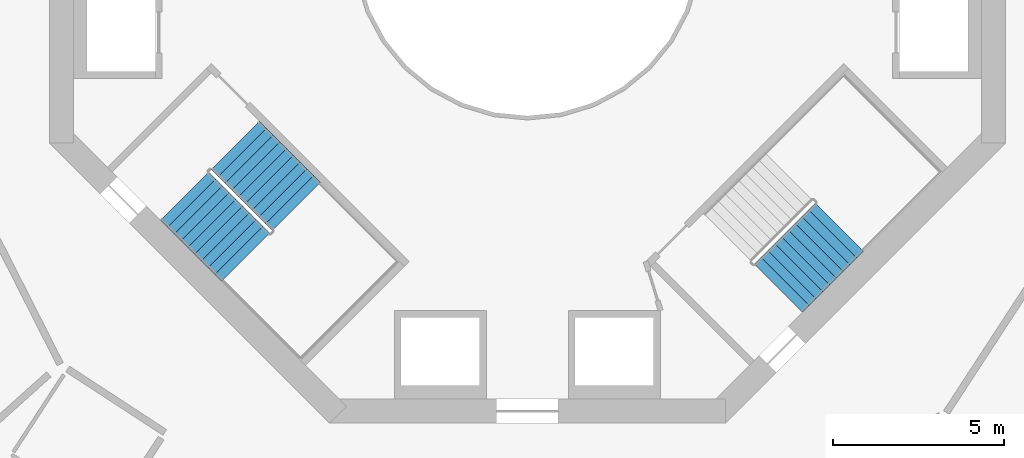
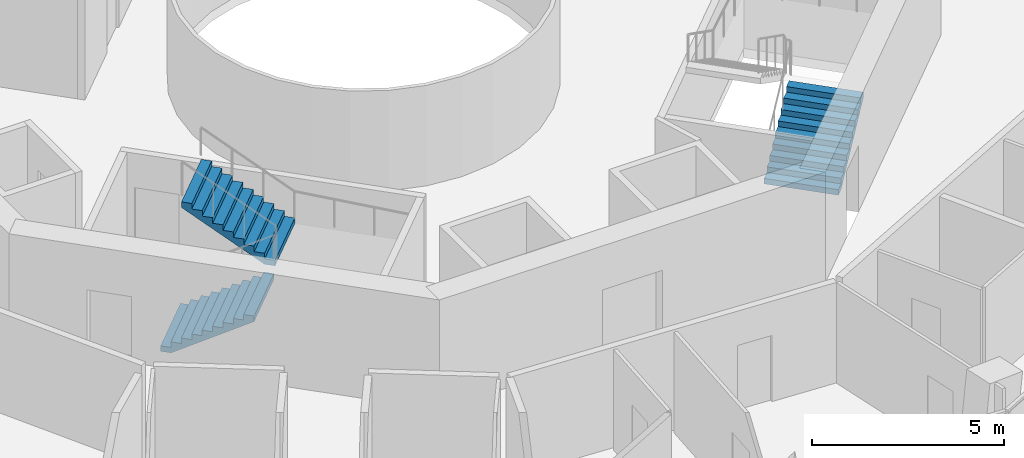
# One storey, part 21 of 23: 3 stair flights, 2 elements without a shape of their own.
"""IFC4 building model written with IfcOpenShell, lengths in metres."""

from ifc_helpers import new_model, si_unit, direction, frame, origin, place, context, subcontext, project, spatial, triangles, material, type_object, element, aggregate, save


model = new_model("IFC4")

# Units and contexts
model_context = context("Model", 3, precision=1e-05, world=origin(), true_north=direction((0.0, 1.0)))
body_context = subcontext(model_context, "Body", "Model", "MODEL_VIEW")
ifc_project = project(units=[si_unit("LENGTHUNIT", "METRE"), si_unit("AREAUNIT", "SQUARE_METRE"), si_unit("VOLUMEUNIT", "CUBIC_METRE"), si_unit("PLANEANGLEUNIT", "RADIAN"), si_unit("MASSUNIT", "GRAM", prefix="KILO")], contexts=[model_context])

# Site, building, storey
site_placement = place(None, origin())
site = spatial("IfcSite", under=ifc_project, at=site_placement, CompositionType="ELEMENT")
building_placement = place(site_placement, origin())
building = spatial("IfcBuilding", under=site, at=building_placement, Name="Verdalira Terraces Hotel", CompositionType="ELEMENT")
storey_placement = place(building_placement, frame((0.0, 0.0, 143.5)))
storey = spatial("IfcBuildingStorey", under=building, at=storey_placement, Name="L34", CompositionType="ELEMENT", Elevation=143.5)

# Stair, stair flights
ifc_material_1 = material(Name="Concrete C40", Category="concrete")
stair_type = type_object("IfcStairType", Name="Core stair 20 risers 2000 mm wide", PredefinedType="HALF_TURN_STAIR", material=ifc_material_1)
stair_1_placement = place(storey_placement, origin())
stair_1 = element("IfcStair", 1, at=stair_1_placement, inside=storey, type_object=stair_type, Name="L34 Exit stair ST2", PredefinedType="HALF_TURN_STAIR")
ifc_material_2 = material(Name="Concrete C40", Category="concrete")
stair_flight_type = type_object("IfcStairFlightType", Name="Core stair flight 20 risers 2000 mm wide", PredefinedType="STRAIGHT", material=ifc_material_2)
stair_flight_1_placement = place(storey_placement, frame((-10.041016, -7.354004, 0.0), z_axis=(0.0, 0.0, 1.0), x_axis=(0.707106781, -0.707106781, 0.0)))
stair_flight_1 = element("IfcStairFlight", 2, at=stair_flight_1_placement, type_object=stair_flight_type, Name="ST2 flight 1", NumberOfRisers=10, NumberOfTreads=9, PredefinedType="STRAIGHT", RiserHeight=0.175, TreadLength=0.28, context=body_context, shape_type="Tessellation", body=[
    triangles([(0.0, 1.0, 0.0), (0.282715, 1.0, 0.0), (2.52002, 1.0, 1.398193), (0.0, -1.0, 0.0), (0.282715, -1.0, 0.0), (2.52002, -1.0, 1.398193), (2.52002, 1.0, 1.574951), (2.23999, 1.0, 1.574951), (2.52002, -1.0, 1.574951), (2.23999, -1.0, 1.574951), (2.23999, 1.0, 1.399902), (2.23999, -1.0, 1.399902), (1.959961, 1.0, 1.399902), (1.959961, -1.0, 1.399902), (1.959961, 1.0, 1.225098), (1.959961, -1.0, 1.225098), (1.679932, 1.0, 1.225098), (1.679932, 1.0, 1.050049), (1.679932, -1.0, 1.225098), (1.679932, -1.0, 1.050049), (1.399902, 1.0, 1.050049), (1.399902, 1.0, 0.875), (1.399902, -1.0, 1.050049), (1.399902, -1.0, 0.875), (1.120117, 1.0, 0.875), (1.120117, 1.0, 0.699951), (1.120117, -1.0, 0.875), (1.120117, -1.0, 0.699951), (0.840088, 1.0, 0.699951), (0.840088, 1.0, 0.524902), (0.840088, -1.0, 0.699951), (0.840088, -1.0, 0.524902), (0.560059, 1.0, 0.524902), (0.560059, 1.0, 0.350098), (0.560059, -1.0, 0.524902), (0.560059, -1.0, 0.350098), (0.280029, 1.0, 0.350098), (0.280029, 1.0, 0.175049), (0.280029, -1.0, 0.350098), (0.280029, -1.0, 0.175049), (0.0, 1.0, 0.175049), (0.0, -1.0, 0.175049), (0.0, -0.9375, 0.0), (0.0, -0.9375, 0.175049), (0.0, -0.875, 0.0), (0.0, -0.875, 0.175049), (0.0, -0.8125, 0.0), (0.0, -0.8125, 0.175049), (0.0, -0.75, 0.0), (0.0, -0.75, 0.175049), (0.0, -0.6875, 0.0), (0.0, -0.6875, 0.175049), (0.0, -0.625, 0.0), (0.0, -0.625, 0.175049), (0.0, -0.5625, 0.0), (0.0, -0.5625, 0.175049), (0.0, -0.5, 0.0), (0.0, -0.5, 0.175049), (0.0, -0.4375, 0.0), (0.0, -0.4375, 0.175049), (0.0, -0.375, 0.0), (0.0, -0.375, 0.175049), (0.0, -0.3125, 0.0), (0.0, -0.3125, 0.175049), (0.0, -0.25, 0.0), (0.0, -0.25, 0.175049), (0.0, -0.1875, 0.0), (0.0, -0.1875, 0.175049), (0.0, -0.125, 0.0), (0.0, -0.125, 0.175049), (0.0, -0.0625, 0.0), (0.0, -0.0625, 0.175049), (0.0, 0.0, 0.0), (0.0, 0.0, 0.175049), (0.0, 0.0625, 0.0), (0.0, 0.0625, 0.175049), (0.0, 0.125, 0.0), (0.0, 0.125, 0.175049), (0.0, 0.1875, 0.0), (0.0, 0.1875, 0.175049), (0.0, 0.25, 0.0), (0.0, 0.25, 0.175049), (0.0, 0.3125, 0.0), (0.0, 0.3125, 0.175049), (0.0, 0.375, 0.0), (0.0, 0.375, 0.175049), (0.0, 0.4375, 0.0), (0.0, 0.4375, 0.175049), (0.0, 0.5, 0.0), (0.0, 0.5, 0.175049), (0.0, 0.5625, 0.0), (0.0, 0.5625, 0.175049), (0.0, 0.625, 0.0), (0.0, 0.625, 0.175049), (0.0, 0.6875, 0.0), (0.0, 0.6875, 0.175049), (0.0, 0.75, 0.0), (0.0, 0.75, 0.175049), (0.0, 0.8125, 0.0), (0.0, 0.8125, 0.175049), (0.0, 0.875, 0.0), (0.0, 0.875, 0.175049), (0.0, 0.9375, 0.0), (0.0, 0.9375, 0.175049), (2.52002, -0.9375, 1.574951), (2.52002, -0.875, 1.574951), (2.52002, -0.8125, 1.574951), (2.52002, -0.75, 1.574951), (2.52002, -0.6875, 1.574951), (2.52002, -0.625, 1.574951), (2.52002, -0.5625, 1.574951), (2.52002, -0.5, 1.574951), (2.52002, -0.4375, 1.574951), (2.52002, -0.375, 1.574951), (2.52002, -0.3125, 1.574951), (2.52002, -0.25, 1.574951), (2.52002, -0.1875, 1.574951), (2.52002, -0.125, 1.574951), (2.52002, -0.0625, 1.574951), (2.52002, 0.0, 1.574951), (2.52002, 0.0625, 1.574951), (2.52002, 0.125, 1.574951), (2.52002, 0.1875, 1.574951), (2.52002, 0.25, 1.574951), (2.52002, 0.3125, 1.574951), (2.52002, 0.375, 1.574951), (2.52002, 0.4375, 1.574951), (2.52002, 0.5, 1.574951), (2.52002, 0.5625, 1.574951), (2.52002, 0.625, 1.574951), (2.52002, 0.6875, 1.574951), (2.52002, 0.75, 1.574951), (2.52002, 0.8125, 1.574951), (2.52002, 0.875, 1.574951), (2.52002, 0.9375, 1.574951), (2.52002, -0.9375, 1.398193), (2.52002, -0.875, 1.398193), (2.52002, -0.8125, 1.398193), (2.52002, -0.75, 1.398193), (2.52002, -0.6875, 1.398193), (2.52002, -0.625, 1.398193), (2.52002, -0.5625, 1.398193), (2.52002, -0.5, 1.398193), (2.52002, -0.4375, 1.398193), (2.52002, -0.375, 1.398193), (2.52002, -0.3125, 1.398193), (2.52002, -0.25, 1.398193), (2.52002, -0.1875, 1.398193), (2.52002, -0.125, 1.398193), (2.52002, -0.0625, 1.398193), (2.52002, 0.0, 1.398193), (2.52002, 0.0625, 1.398193), (2.52002, 0.125, 1.398193), (2.52002, 0.1875, 1.398193), (2.52002, 0.25, 1.398193), (2.52002, 0.3125, 1.398193), (2.52002, 0.375, 1.398193), (2.52002, 0.4375, 1.398193), (2.52002, 0.5, 1.398193), (2.52002, 0.5625, 1.398193), (2.52002, 0.625, 1.398193), (2.52002, 0.6875, 1.398193), (2.52002, 0.75, 1.398193), (2.52002, 0.8125, 1.398193), (2.52002, 0.875, 1.398193), (2.52002, 0.9375, 1.398193)], [[1, 3, 2], [4, 5, 6], [3, 8, 7], [6, 9, 10], [3, 11, 8], [6, 10, 12], [3, 13, 11], [6, 12, 14], [3, 15, 13], [6, 14, 16], [15, 18, 17], [16, 19, 20], [3, 18, 15], [6, 16, 20], [18, 22, 21], [20, 23, 24], [3, 22, 18], [6, 20, 24], [22, 26, 25], [24, 27, 28], [3, 26, 22], [6, 24, 28], [26, 30, 29], [28, 31, 32], [3, 30, 26], [6, 28, 32], [1, 30, 3], [4, 6, 32], [30, 34, 33], [32, 35, 36], [34, 38, 37], [36, 39, 40], [30, 38, 34], [32, 36, 40], [1, 38, 30], [4, 32, 40], [38, 1, 41], [40, 42, 4], [4, 44, 43], [4, 42, 44], [43, 46, 45], [43, 44, 46], [45, 48, 47], [45, 46, 48], [47, 50, 49], [47, 48, 50], [49, 52, 51], [49, 50, 52], [51, 54, 53], [51, 52, 54], [53, 56, 55], [53, 54, 56], [55, 58, 57], [55, 56, 58], [57, 60, 59], [57, 58, 60], [59, 62, 61], [59, 60, 62], [61, 64, 63], [61, 62, 64], [63, 66, 65], [63, 64, 66], [65, 68, 67], [65, 66, 68], [67, 70, 69], [67, 68, 70], [69, 72, 71], [69, 70, 72], [71, 74, 73], [71, 72, 74], [73, 76, 75], [73, 74, 76], [75, 78, 77], [75, 76, 78], [77, 80, 79], [77, 78, 80], [79, 82, 81], [79, 80, 82], [81, 84, 83], [81, 82, 84], [83, 86, 85], [83, 84, 86], [85, 88, 87], [85, 86, 88], [87, 90, 89], [87, 88, 90], [89, 92, 91], [89, 90, 92], [91, 94, 93], [91, 92, 94], [93, 96, 95], [93, 94, 96], [95, 98, 97], [95, 96, 98], [97, 100, 99], [97, 98, 100], [99, 102, 101], [99, 100, 102], [101, 104, 103], [101, 102, 104], [103, 41, 1], [103, 104, 41], [42, 40, 44], [44, 40, 46], [46, 40, 48], [48, 40, 50], [50, 40, 52], [52, 40, 54], [54, 40, 56], [56, 40, 58], [58, 40, 60], [60, 40, 62], [62, 40, 64], [64, 40, 66], [66, 40, 68], [68, 40, 70], [70, 40, 72], [72, 40, 74], [74, 40, 76], [76, 40, 78], [78, 40, 80], [80, 40, 82], [82, 40, 84], [84, 40, 86], [86, 40, 88], [88, 40, 90], [90, 40, 92], [92, 40, 94], [94, 40, 96], [96, 40, 98], [98, 40, 100], [100, 40, 102], [102, 40, 104], [104, 40, 41], [41, 40, 38], [40, 37, 38], [40, 39, 37], [39, 34, 37], [39, 36, 34], [36, 33, 34], [36, 35, 33], [35, 30, 33], [35, 32, 30], [32, 29, 30], [32, 31, 29], [31, 26, 29], [31, 28, 26], [28, 25, 26], [28, 27, 25], [27, 22, 25], [27, 24, 22], [24, 21, 22], [24, 23, 21], [23, 18, 21], [23, 20, 18], [20, 17, 18], [20, 19, 17], [19, 15, 17], [19, 16, 15], [16, 13, 15], [16, 14, 13], [14, 11, 13], [14, 12, 11], [12, 8, 11], [12, 10, 8], [9, 105, 10], [105, 106, 10], [106, 107, 10], [107, 108, 10], [108, 109, 10], [109, 110, 10], [110, 111, 10], [111, 112, 10], [112, 113, 10], [113, 114, 10], [114, 115, 10], [115, 116, 10], [116, 117, 10], [117, 118, 10], [118, 119, 10], [119, 120, 10], [120, 121, 10], [121, 122, 10], [122, 123, 10], [123, 124, 10], [124, 125, 10], [125, 126, 10], [126, 127, 10], [127, 128, 10], [128, 129, 10], [129, 130, 10], [130, 131, 10], [131, 132, 10], [132, 133, 10], [133, 134, 10], [134, 135, 10], [135, 7, 10], [7, 8, 10], [9, 136, 105], [9, 6, 136], [105, 137, 106], [105, 136, 137], [106, 138, 107], [106, 137, 138], [107, 139, 108], [107, 138, 139], [108, 140, 109], [108, 139, 140], [109, 141, 110], [109, 140, 141], [110, 142, 111], [110, 141, 142], [111, 143, 112], [111, 142, 143], [112, 144, 113], [112, 143, 144], [113, 145, 114], [113, 144, 145], [114, 146, 115], [114, 145, 146], [115, 147, 116], [115, 146, 147], [116, 148, 117], [116, 147, 148], [117, 149, 118], [117, 148, 149], [118, 150, 119], [118, 149, 150], [119, 151, 120], [119, 150, 151], [120, 152, 121], [120, 151, 152], [121, 153, 122], [121, 152, 153], [122, 154, 123], [122, 153, 154], [123, 155, 124], [123, 154, 155], [124, 156, 125], [124, 155, 156], [125, 157, 126], [125, 156, 157], [126, 158, 127], [126, 157, 158], [127, 159, 128], [127, 158, 159], [128, 160, 129], [128, 159, 160], [129, 161, 130], [129, 160, 161], [130, 162, 131], [130, 161, 162], [131, 163, 132], [131, 162, 163], [132, 164, 133], [132, 163, 164], [133, 165, 134], [133, 164, 165], [134, 166, 135], [134, 165, 166], [135, 3, 7], [135, 166, 3], [6, 5, 136], [136, 5, 137], [137, 5, 138], [138, 5, 139], [139, 5, 140], [140, 5, 141], [141, 5, 142], [142, 5, 143], [143, 5, 144], [144, 5, 145], [145, 5, 146], [146, 5, 147], [147, 5, 148], [148, 5, 149], [149, 5, 150], [150, 5, 151], [151, 5, 152], [152, 5, 153], [153, 5, 154], [154, 5, 155], [155, 5, 156], [156, 5, 157], [157, 5, 158], [158, 5, 159], [159, 5, 160], [160, 5, 161], [161, 5, 162], [162, 5, 163], [163, 5, 164], [164, 5, 165], [165, 5, 166], [166, 5, 3], [3, 5, 2], [4, 43, 5], [43, 45, 5], [45, 47, 5], [47, 49, 5], [49, 51, 5], [51, 53, 5], [53, 55, 5], [55, 57, 5], [57, 59, 5], [59, 61, 5], [61, 63, 5], [63, 65, 5], [65, 67, 5], [67, 69, 5], [69, 71, 5], [71, 73, 5], [73, 75, 5], [75, 77, 5], [77, 79, 5], [79, 81, 5], [81, 83, 5], [83, 85, 5], [85, 87, 5], [87, 89, 5], [89, 91, 5], [91, 93, 5], [93, 95, 5], [95, 97, 5], [97, 99, 5], [99, 101, 5], [101, 103, 5], [103, 1, 5], [1, 2, 5]], closed=True),
])
stair_flight_2_placement = place(storey_placement, frame((-6.77417, -7.650879, 1.75), z_axis=(0.0, 0.0, 1.0), x_axis=(-0.707106781, 0.707106781, 0.0)))
stair_flight_2 = element("IfcStairFlight", 3, at=stair_flight_2_placement, type_object=stair_flight_type, Name="ST2 flight 2", NumberOfRisers=10, NumberOfTreads=9, PredefinedType="STRAIGHT", RiserHeight=0.175, TreadLength=0.28, context=body_context, shape_type="Tessellation", body=[
    triangles([(0.0, 1.0, 0.0), (0.282715, 1.0, 0.0), (2.52002, 1.0, 1.398193), (0.0, -1.0, 0.0), (0.282715, -1.0, 0.0), (2.52002, -1.0, 1.398193), (2.52002, 1.0, 1.574951), (2.23999, 1.0, 1.574951), (2.52002, -1.0, 1.574951), (2.23999, -1.0, 1.574951), (2.23999, 1.0, 1.399902), (2.23999, -1.0, 1.399902), (1.959961, 1.0, 1.399902), (1.959961, -1.0, 1.399902), (1.959961, 1.0, 1.225098), (1.959961, -1.0, 1.225098), (1.679932, 1.0, 1.225098), (1.679932, 1.0, 1.050049), (1.679932, -1.0, 1.225098), (1.679932, -1.0, 1.050049), (1.399902, 1.0, 1.050049), (1.399902, 1.0, 0.875), (1.399902, -1.0, 1.050049), (1.399902, -1.0, 0.875), (1.120117, 1.0, 0.875), (1.120117, 1.0, 0.699951), (1.120117, -1.0, 0.875), (1.120117, -1.0, 0.699951), (0.840088, 1.0, 0.699951), (0.840088, 1.0, 0.524902), (0.840088, -1.0, 0.699951), (0.840088, -1.0, 0.524902), (0.560059, 1.0, 0.524902), (0.560059, 1.0, 0.350098), (0.560059, -1.0, 0.524902), (0.560059, -1.0, 0.350098), (0.280029, 1.0, 0.350098), (0.280029, 1.0, 0.175049), (0.280029, -1.0, 0.350098), (0.280029, -1.0, 0.175049), (0.0, 1.0, 0.175049), (0.0, -1.0, 0.175049), (0.0, -0.9375, 0.0), (0.0, -0.9375, 0.175049), (0.0, -0.875, 0.0), (0.0, -0.875, 0.175049), (0.0, -0.8125, 0.0), (0.0, -0.8125, 0.175049), (0.0, -0.75, 0.0), (0.0, -0.75, 0.175049), (0.0, -0.6875, 0.0), (0.0, -0.6875, 0.175049), (0.0, -0.625, 0.0), (0.0, -0.625, 0.175049), (0.0, -0.5625, 0.0), (0.0, -0.5625, 0.175049), (0.0, -0.5, 0.0), (0.0, -0.5, 0.175049), (0.0, -0.4375, 0.0), (0.0, -0.4375, 0.175049), (0.0, -0.375, 0.0), (0.0, -0.375, 0.175049), (0.0, -0.3125, 0.0), (0.0, -0.3125, 0.175049), (0.0, -0.25, 0.0), (0.0, -0.25, 0.175049), (0.0, -0.1875, 0.0), (0.0, -0.1875, 0.175049), (0.0, -0.125, 0.0), (0.0, -0.125, 0.175049), (0.0, -0.0625, 0.0), (0.0, -0.0625, 0.175049), (0.0, 0.0, 0.0), (0.0, 0.0, 0.175049), (0.0, 0.0625, 0.0), (0.0, 0.0625, 0.175049), (0.0, 0.125, 0.0), (0.0, 0.125, 0.175049), (0.0, 0.1875, 0.0), (0.0, 0.1875, 0.175049), (0.0, 0.25, 0.0), (0.0, 0.25, 0.175049), (0.0, 0.3125, 0.0), (0.0, 0.3125, 0.175049), (0.0, 0.375, 0.0), (0.0, 0.375, 0.175049), (0.0, 0.4375, 0.0), (0.0, 0.4375, 0.175049), (0.0, 0.5, 0.0), (0.0, 0.5, 0.175049), (0.0, 0.5625, 0.0), (0.0, 0.5625, 0.175049), (0.0, 0.625, 0.0), (0.0, 0.625, 0.175049), (0.0, 0.6875, 0.0), (0.0, 0.6875, 0.175049), (0.0, 0.75, 0.0), (0.0, 0.75, 0.175049), (0.0, 0.8125, 0.0), (0.0, 0.8125, 0.175049), (0.0, 0.875, 0.0), (0.0, 0.875, 0.175049), (0.0, 0.9375, 0.0), (0.0, 0.9375, 0.175049), (2.52002, -0.9375, 1.574951), (2.52002, -0.875, 1.574951), (2.52002, -0.8125, 1.574951), (2.52002, -0.75, 1.574951), (2.52002, -0.6875, 1.574951), (2.52002, -0.625, 1.574951), (2.52002, -0.5625, 1.574951), (2.52002, -0.5, 1.574951), (2.52002, -0.4375, 1.574951), (2.52002, -0.375, 1.574951), (2.52002, -0.3125, 1.574951), (2.52002, -0.25, 1.574951), (2.52002, -0.1875, 1.574951), (2.52002, -0.125, 1.574951), (2.52002, -0.0625, 1.574951), (2.52002, 0.0, 1.574951), (2.52002, 0.0625, 1.574951), (2.52002, 0.125, 1.574951), (2.52002, 0.1875, 1.574951), (2.52002, 0.25, 1.574951), (2.52002, 0.3125, 1.574951), (2.52002, 0.375, 1.574951), (2.52002, 0.4375, 1.574951), (2.52002, 0.5, 1.574951), (2.52002, 0.5625, 1.574951), (2.52002, 0.625, 1.574951), (2.52002, 0.6875, 1.574951), (2.52002, 0.75, 1.574951), (2.52002, 0.8125, 1.574951), (2.52002, 0.875, 1.574951), (2.52002, 0.9375, 1.574951), (2.52002, -0.9375, 1.398193), (2.52002, -0.875, 1.398193), (2.52002, -0.8125, 1.398193), (2.52002, -0.75, 1.398193), (2.52002, -0.6875, 1.398193), (2.52002, -0.625, 1.398193), (2.52002, -0.5625, 1.398193), (2.52002, -0.5, 1.398193), (2.52002, -0.4375, 1.398193), (2.52002, -0.375, 1.398193), (2.52002, -0.3125, 1.398193), (2.52002, -0.25, 1.398193), (2.52002, -0.1875, 1.398193), (2.52002, -0.125, 1.398193), (2.52002, -0.0625, 1.398193), (2.52002, 0.0, 1.398193), (2.52002, 0.0625, 1.398193), (2.52002, 0.125, 1.398193), (2.52002, 0.1875, 1.398193), (2.52002, 0.25, 1.398193), (2.52002, 0.3125, 1.398193), (2.52002, 0.375, 1.398193), (2.52002, 0.4375, 1.398193), (2.52002, 0.5, 1.398193), (2.52002, 0.5625, 1.398193), (2.52002, 0.625, 1.398193), (2.52002, 0.6875, 1.398193), (2.52002, 0.75, 1.398193), (2.52002, 0.8125, 1.398193), (2.52002, 0.875, 1.398193), (2.52002, 0.9375, 1.398193)], [[1, 3, 2], [4, 5, 6], [3, 8, 7], [6, 9, 10], [3, 11, 8], [6, 10, 12], [3, 13, 11], [6, 12, 14], [3, 15, 13], [6, 14, 16], [15, 18, 17], [16, 19, 20], [3, 18, 15], [6, 16, 20], [18, 22, 21], [20, 23, 24], [3, 22, 18], [6, 20, 24], [22, 26, 25], [24, 27, 28], [3, 26, 22], [6, 24, 28], [26, 30, 29], [28, 31, 32], [3, 30, 26], [6, 28, 32], [1, 30, 3], [4, 6, 32], [30, 34, 33], [32, 35, 36], [34, 38, 37], [36, 39, 40], [30, 38, 34], [32, 36, 40], [1, 38, 30], [4, 32, 40], [38, 1, 41], [40, 42, 4], [4, 44, 43], [4, 42, 44], [43, 46, 45], [43, 44, 46], [45, 48, 47], [45, 46, 48], [47, 50, 49], [47, 48, 50], [49, 52, 51], [49, 50, 52], [51, 54, 53], [51, 52, 54], [53, 56, 55], [53, 54, 56], [55, 58, 57], [55, 56, 58], [57, 60, 59], [57, 58, 60], [59, 62, 61], [59, 60, 62], [61, 64, 63], [61, 62, 64], [63, 66, 65], [63, 64, 66], [65, 68, 67], [65, 66, 68], [67, 70, 69], [67, 68, 70], [69, 72, 71], [69, 70, 72], [71, 74, 73], [71, 72, 74], [73, 76, 75], [73, 74, 76], [75, 78, 77], [75, 76, 78], [77, 80, 79], [77, 78, 80], [79, 82, 81], [79, 80, 82], [81, 84, 83], [81, 82, 84], [83, 86, 85], [83, 84, 86], [85, 88, 87], [85, 86, 88], [87, 90, 89], [87, 88, 90], [89, 92, 91], [89, 90, 92], [91, 94, 93], [91, 92, 94], [93, 96, 95], [93, 94, 96], [95, 98, 97], [95, 96, 98], [97, 100, 99], [97, 98, 100], [99, 102, 101], [99, 100, 102], [101, 104, 103], [101, 102, 104], [103, 41, 1], [103, 104, 41], [42, 40, 44], [44, 40, 46], [46, 40, 48], [48, 40, 50], [50, 40, 52], [52, 40, 54], [54, 40, 56], [56, 40, 58], [58, 40, 60], [60, 40, 62], [62, 40, 64], [64, 40, 66], [66, 40, 68], [68, 40, 70], [70, 40, 72], [72, 40, 74], [74, 40, 76], [76, 40, 78], [78, 40, 80], [80, 40, 82], [82, 40, 84], [84, 40, 86], [86, 40, 88], [88, 40, 90], [90, 40, 92], [92, 40, 94], [94, 40, 96], [96, 40, 98], [98, 40, 100], [100, 40, 102], [102, 40, 104], [104, 40, 41], [41, 40, 38], [40, 37, 38], [40, 39, 37], [39, 34, 37], [39, 36, 34], [36, 33, 34], [36, 35, 33], [35, 30, 33], [35, 32, 30], [32, 29, 30], [32, 31, 29], [31, 26, 29], [31, 28, 26], [28, 25, 26], [28, 27, 25], [27, 22, 25], [27, 24, 22], [24, 21, 22], [24, 23, 21], [23, 18, 21], [23, 20, 18], [20, 17, 18], [20, 19, 17], [19, 15, 17], [19, 16, 15], [16, 13, 15], [16, 14, 13], [14, 11, 13], [14, 12, 11], [12, 8, 11], [12, 10, 8], [9, 105, 10], [105, 106, 10], [106, 107, 10], [107, 108, 10], [108, 109, 10], [109, 110, 10], [110, 111, 10], [111, 112, 10], [112, 113, 10], [113, 114, 10], [114, 115, 10], [115, 116, 10], [116, 117, 10], [117, 118, 10], [118, 119, 10], [119, 120, 10], [120, 121, 10], [121, 122, 10], [122, 123, 10], [123, 124, 10], [124, 125, 10], [125, 126, 10], [126, 127, 10], [127, 128, 10], [128, 129, 10], [129, 130, 10], [130, 131, 10], [131, 132, 10], [132, 133, 10], [133, 134, 10], [134, 135, 10], [135, 7, 10], [7, 8, 10], [9, 136, 105], [9, 6, 136], [105, 137, 106], [105, 136, 137], [106, 138, 107], [106, 137, 138], [107, 139, 108], [107, 138, 139], [108, 140, 109], [108, 139, 140], [109, 141, 110], [109, 140, 141], [110, 142, 111], [110, 141, 142], [111, 143, 112], [111, 142, 143], [112, 144, 113], [112, 143, 144], [113, 145, 114], [113, 144, 145], [114, 146, 115], [114, 145, 146], [115, 147, 116], [115, 146, 147], [116, 148, 117], [116, 147, 148], [117, 149, 118], [117, 148, 149], [118, 150, 119], [118, 149, 150], [119, 151, 120], [119, 150, 151], [120, 152, 121], [120, 151, 152], [121, 153, 122], [121, 152, 153], [122, 154, 123], [122, 153, 154], [123, 155, 124], [123, 154, 155], [124, 156, 125], [124, 155, 156], [125, 157, 126], [125, 156, 157], [126, 158, 127], [126, 157, 158], [127, 159, 128], [127, 158, 159], [128, 160, 129], [128, 159, 160], [129, 161, 130], [129, 160, 161], [130, 162, 131], [130, 161, 162], [131, 163, 132], [131, 162, 163], [132, 164, 133], [132, 163, 164], [133, 165, 134], [133, 164, 165], [134, 166, 135], [134, 165, 166], [135, 3, 7], [135, 166, 3], [6, 5, 136], [136, 5, 137], [137, 5, 138], [138, 5, 139], [139, 5, 140], [140, 5, 141], [141, 5, 142], [142, 5, 143], [143, 5, 144], [144, 5, 145], [145, 5, 146], [146, 5, 147], [147, 5, 148], [148, 5, 149], [149, 5, 150], [150, 5, 151], [151, 5, 152], [152, 5, 153], [153, 5, 154], [154, 5, 155], [155, 5, 156], [156, 5, 157], [157, 5, 158], [158, 5, 159], [159, 5, 160], [160, 5, 161], [161, 5, 162], [162, 5, 163], [163, 5, 164], [164, 5, 165], [165, 5, 166], [166, 5, 3], [3, 5, 2], [4, 43, 5], [43, 45, 5], [45, 47, 5], [47, 49, 5], [49, 51, 5], [51, 53, 5], [53, 55, 5], [55, 57, 5], [57, 59, 5], [59, 61, 5], [61, 63, 5], [63, 65, 5], [65, 67, 5], [67, 69, 5], [69, 71, 5], [71, 73, 5], [73, 75, 5], [75, 77, 5], [77, 79, 5], [79, 81, 5], [81, 83, 5], [83, 85, 5], [85, 87, 5], [87, 89, 5], [89, 91, 5], [91, 93, 5], [93, 95, 5], [95, 97, 5], [97, 99, 5], [99, 101, 5], [101, 103, 5], [103, 1, 5], [1, 2, 5]], closed=True),
])
aggregate(stair_1, [stair_flight_1, stair_flight_2])

# Stair, stair flight
stair_2_placement = place(storey_placement, origin())
stair_2 = element("IfcStair", 4, at=stair_2_placement, inside=storey, type_object=stair_type, Name="L34 Exit stair ST3", PredefinedType="HALF_TURN_STAIR")
stair_flight_3_placement = place(storey_placement, frame((7.354004, -10.041016, 0.0), z_axis=(0.0, 0.0, 1.0), x_axis=(0.707106781, 0.707106781, 0.0)))
stair_flight_3 = element("IfcStairFlight", 5, at=stair_flight_3_placement, type_object=stair_flight_type, Name="ST3 flight 1", NumberOfRisers=10, NumberOfTreads=9, PredefinedType="STRAIGHT", RiserHeight=0.175, TreadLength=0.28, context=body_context, shape_type="Tessellation", body=[
    triangles([(0.0, 1.0, 0.0), (0.282715, 1.0, 0.0), (2.52002, 1.0, 1.398193), (0.0, -1.0, 0.0), (0.282715, -1.0, 0.0), (2.52002, -1.0, 1.398193), (2.52002, 1.0, 1.574951), (2.23999, 1.0, 1.574951), (2.52002, -1.0, 1.574951), (2.23999, -1.0, 1.574951), (2.23999, 1.0, 1.399902), (2.23999, -1.0, 1.399902), (1.959961, 1.0, 1.399902), (1.959961, -1.0, 1.399902), (1.959961, 1.0, 1.225098), (1.959961, -1.0, 1.225098), (1.679932, 1.0, 1.225098), (1.679932, 1.0, 1.050049), (1.679932, -1.0, 1.225098), (1.679932, -1.0, 1.050049), (1.399902, 1.0, 1.050049), (1.399902, 1.0, 0.875), (1.399902, -1.0, 1.050049), (1.399902, -1.0, 0.875), (1.120117, 1.0, 0.875), (1.120117, 1.0, 0.699951), (1.120117, -1.0, 0.875), (1.120117, -1.0, 0.699951), (0.840088, 1.0, 0.699951), (0.840088, 1.0, 0.524902), (0.840088, -1.0, 0.699951), (0.840088, -1.0, 0.524902), (0.560059, 1.0, 0.524902), (0.560059, 1.0, 0.350098), (0.560059, -1.0, 0.524902), (0.560059, -1.0, 0.350098), (0.280029, 1.0, 0.350098), (0.280029, 1.0, 0.175049), (0.280029, -1.0, 0.350098), (0.280029, -1.0, 0.175049), (0.0, 1.0, 0.175049), (0.0, -1.0, 0.175049), (0.0, -0.9375, 0.0), (0.0, -0.9375, 0.175049), (0.0, -0.875, 0.0), (0.0, -0.875, 0.175049), (0.0, -0.8125, 0.0), (0.0, -0.8125, 0.175049), (0.0, -0.75, 0.0), (0.0, -0.75, 0.175049), (0.0, -0.6875, 0.0), (0.0, -0.6875, 0.175049), (0.0, -0.625, 0.0), (0.0, -0.625, 0.175049), (0.0, -0.5625, 0.0), (0.0, -0.5625, 0.175049), (0.0, -0.5, 0.0), (0.0, -0.5, 0.175049), (0.0, -0.4375, 0.0), (0.0, -0.4375, 0.175049), (0.0, -0.375, 0.0), (0.0, -0.375, 0.175049), (0.0, -0.3125, 0.0), (0.0, -0.3125, 0.175049), (0.0, -0.25, 0.0), (0.0, -0.25, 0.175049), (0.0, -0.1875, 0.0), (0.0, -0.1875, 0.175049), (0.0, -0.125, 0.0), (0.0, -0.125, 0.175049), (0.0, -0.0625, 0.0), (0.0, -0.0625, 0.175049), (0.0, 0.0, 0.0), (0.0, 0.0, 0.175049), (0.0, 0.0625, 0.0), (0.0, 0.0625, 0.175049), (0.0, 0.125, 0.0), (0.0, 0.125, 0.175049), (0.0, 0.1875, 0.0), (0.0, 0.1875, 0.175049), (0.0, 0.25, 0.0), (0.0, 0.25, 0.175049), (0.0, 0.3125, 0.0), (0.0, 0.3125, 0.175049), (0.0, 0.375, 0.0), (0.0, 0.375, 0.175049), (0.0, 0.4375, 0.0), (0.0, 0.4375, 0.175049), (0.0, 0.5, 0.0), (0.0, 0.5, 0.175049), (0.0, 0.5625, 0.0), (0.0, 0.5625, 0.175049), (0.0, 0.625, 0.0), (0.0, 0.625, 0.175049), (0.0, 0.6875, 0.0), (0.0, 0.6875, 0.175049), (0.0, 0.75, 0.0), (0.0, 0.75, 0.175049), (0.0, 0.8125, 0.0), (0.0, 0.8125, 0.175049), (0.0, 0.875, 0.0), (0.0, 0.875, 0.175049), (0.0, 0.9375, 0.0), (0.0, 0.9375, 0.175049), (2.52002, -0.9375, 1.574951), (2.52002, -0.875, 1.574951), (2.52002, -0.8125, 1.574951), (2.52002, -0.75, 1.574951), (2.52002, -0.6875, 1.574951), (2.52002, -0.625, 1.574951), (2.52002, -0.5625, 1.574951), (2.52002, -0.5, 1.574951), (2.52002, -0.4375, 1.574951), (2.52002, -0.375, 1.574951), (2.52002, -0.3125, 1.574951), (2.52002, -0.25, 1.574951), (2.52002, -0.1875, 1.574951), (2.52002, -0.125, 1.574951), (2.52002, -0.0625, 1.574951), (2.52002, 0.0, 1.574951), (2.52002, 0.0625, 1.574951), (2.52002, 0.125, 1.574951), (2.52002, 0.1875, 1.574951), (2.52002, 0.25, 1.574951), (2.52002, 0.3125, 1.574951), (2.52002, 0.375, 1.574951), (2.52002, 0.4375, 1.574951), (2.52002, 0.5, 1.574951), (2.52002, 0.5625, 1.574951), (2.52002, 0.625, 1.574951), (2.52002, 0.6875, 1.574951), (2.52002, 0.75, 1.574951), (2.52002, 0.8125, 1.574951), (2.52002, 0.875, 1.574951), (2.52002, 0.9375, 1.574951), (2.52002, -0.9375, 1.398193), (2.52002, -0.875, 1.398193), (2.52002, -0.8125, 1.398193), (2.52002, -0.75, 1.398193), (2.52002, -0.6875, 1.398193), (2.52002, -0.625, 1.398193), (2.52002, -0.5625, 1.398193), (2.52002, -0.5, 1.398193), (2.52002, -0.4375, 1.398193), (2.52002, -0.375, 1.398193), (2.52002, -0.3125, 1.398193), (2.52002, -0.25, 1.398193), (2.52002, -0.1875, 1.398193), (2.52002, -0.125, 1.398193), (2.52002, -0.0625, 1.398193), (2.52002, 0.0, 1.398193), (2.52002, 0.0625, 1.398193), (2.52002, 0.125, 1.398193), (2.52002, 0.1875, 1.398193), (2.52002, 0.25, 1.398193), (2.52002, 0.3125, 1.398193), (2.52002, 0.375, 1.398193), (2.52002, 0.4375, 1.398193), (2.52002, 0.5, 1.398193), (2.52002, 0.5625, 1.398193), (2.52002, 0.625, 1.398193), (2.52002, 0.6875, 1.398193), (2.52002, 0.75, 1.398193), (2.52002, 0.8125, 1.398193), (2.52002, 0.875, 1.398193), (2.52002, 0.9375, 1.398193)], [[1, 3, 2], [4, 5, 6], [3, 8, 7], [6, 9, 10], [3, 11, 8], [6, 10, 12], [3, 13, 11], [6, 12, 14], [3, 15, 13], [6, 14, 16], [15, 18, 17], [16, 19, 20], [3, 18, 15], [6, 16, 20], [18, 22, 21], [20, 23, 24], [3, 22, 18], [6, 20, 24], [22, 26, 25], [24, 27, 28], [3, 26, 22], [6, 24, 28], [26, 30, 29], [28, 31, 32], [3, 30, 26], [6, 28, 32], [1, 30, 3], [4, 6, 32], [30, 34, 33], [32, 35, 36], [34, 38, 37], [36, 39, 40], [30, 38, 34], [32, 36, 40], [1, 38, 30], [4, 32, 40], [38, 1, 41], [40, 42, 4], [4, 44, 43], [4, 42, 44], [43, 46, 45], [43, 44, 46], [45, 48, 47], [45, 46, 48], [47, 50, 49], [47, 48, 50], [49, 52, 51], [49, 50, 52], [51, 54, 53], [51, 52, 54], [53, 56, 55], [53, 54, 56], [55, 58, 57], [55, 56, 58], [57, 60, 59], [57, 58, 60], [59, 62, 61], [59, 60, 62], [61, 64, 63], [61, 62, 64], [63, 66, 65], [63, 64, 66], [65, 68, 67], [65, 66, 68], [67, 70, 69], [67, 68, 70], [69, 72, 71], [69, 70, 72], [71, 74, 73], [71, 72, 74], [73, 76, 75], [73, 74, 76], [75, 78, 77], [75, 76, 78], [77, 80, 79], [77, 78, 80], [79, 82, 81], [79, 80, 82], [81, 84, 83], [81, 82, 84], [83, 86, 85], [83, 84, 86], [85, 88, 87], [85, 86, 88], [87, 90, 89], [87, 88, 90], [89, 92, 91], [89, 90, 92], [91, 94, 93], [91, 92, 94], [93, 96, 95], [93, 94, 96], [95, 98, 97], [95, 96, 98], [97, 100, 99], [97, 98, 100], [99, 102, 101], [99, 100, 102], [101, 104, 103], [101, 102, 104], [103, 41, 1], [103, 104, 41], [42, 40, 44], [44, 40, 46], [46, 40, 48], [48, 40, 50], [50, 40, 52], [52, 40, 54], [54, 40, 56], [56, 40, 58], [58, 40, 60], [60, 40, 62], [62, 40, 64], [64, 40, 66], [66, 40, 68], [68, 40, 70], [70, 40, 72], [72, 40, 74], [74, 40, 76], [76, 40, 78], [78, 40, 80], [80, 40, 82], [82, 40, 84], [84, 40, 86], [86, 40, 88], [88, 40, 90], [90, 40, 92], [92, 40, 94], [94, 40, 96], [96, 40, 98], [98, 40, 100], [100, 40, 102], [102, 40, 104], [104, 40, 41], [41, 40, 38], [40, 37, 38], [40, 39, 37], [39, 34, 37], [39, 36, 34], [36, 33, 34], [36, 35, 33], [35, 30, 33], [35, 32, 30], [32, 29, 30], [32, 31, 29], [31, 26, 29], [31, 28, 26], [28, 25, 26], [28, 27, 25], [27, 22, 25], [27, 24, 22], [24, 21, 22], [24, 23, 21], [23, 18, 21], [23, 20, 18], [20, 17, 18], [20, 19, 17], [19, 15, 17], [19, 16, 15], [16, 13, 15], [16, 14, 13], [14, 11, 13], [14, 12, 11], [12, 8, 11], [12, 10, 8], [9, 105, 10], [105, 106, 10], [106, 107, 10], [107, 108, 10], [108, 109, 10], [109, 110, 10], [110, 111, 10], [111, 112, 10], [112, 113, 10], [113, 114, 10], [114, 115, 10], [115, 116, 10], [116, 117, 10], [117, 118, 10], [118, 119, 10], [119, 120, 10], [120, 121, 10], [121, 122, 10], [122, 123, 10], [123, 124, 10], [124, 125, 10], [125, 126, 10], [126, 127, 10], [127, 128, 10], [128, 129, 10], [129, 130, 10], [130, 131, 10], [131, 132, 10], [132, 133, 10], [133, 134, 10], [134, 135, 10], [135, 7, 10], [7, 8, 10], [9, 136, 105], [9, 6, 136], [105, 137, 106], [105, 136, 137], [106, 138, 107], [106, 137, 138], [107, 139, 108], [107, 138, 139], [108, 140, 109], [108, 139, 140], [109, 141, 110], [109, 140, 141], [110, 142, 111], [110, 141, 142], [111, 143, 112], [111, 142, 143], [112, 144, 113], [112, 143, 144], [113, 145, 114], [113, 144, 145], [114, 146, 115], [114, 145, 146], [115, 147, 116], [115, 146, 147], [116, 148, 117], [116, 147, 148], [117, 149, 118], [117, 148, 149], [118, 150, 119], [118, 149, 150], [119, 151, 120], [119, 150, 151], [120, 152, 121], [120, 151, 152], [121, 153, 122], [121, 152, 153], [122, 154, 123], [122, 153, 154], [123, 155, 124], [123, 154, 155], [124, 156, 125], [124, 155, 156], [125, 157, 126], [125, 156, 157], [126, 158, 127], [126, 157, 158], [127, 159, 128], [127, 158, 159], [128, 160, 129], [128, 159, 160], [129, 161, 130], [129, 160, 161], [130, 162, 131], [130, 161, 162], [131, 163, 132], [131, 162, 163], [132, 164, 133], [132, 163, 164], [133, 165, 134], [133, 164, 165], [134, 166, 135], [134, 165, 166], [135, 3, 7], [135, 166, 3], [6, 5, 136], [136, 5, 137], [137, 5, 138], [138, 5, 139], [139, 5, 140], [140, 5, 141], [141, 5, 142], [142, 5, 143], [143, 5, 144], [144, 5, 145], [145, 5, 146], [146, 5, 147], [147, 5, 148], [148, 5, 149], [149, 5, 150], [150, 5, 151], [151, 5, 152], [152, 5, 153], [153, 5, 154], [154, 5, 155], [155, 5, 156], [156, 5, 157], [157, 5, 158], [158, 5, 159], [159, 5, 160], [160, 5, 161], [161, 5, 162], [162, 5, 163], [163, 5, 164], [164, 5, 165], [165, 5, 166], [166, 5, 3], [3, 5, 2], [4, 43, 5], [43, 45, 5], [45, 47, 5], [47, 49, 5], [49, 51, 5], [51, 53, 5], [53, 55, 5], [55, 57, 5], [57, 59, 5], [59, 61, 5], [61, 63, 5], [63, 65, 5], [65, 67, 5], [67, 69, 5], [69, 71, 5], [71, 73, 5], [73, 75, 5], [75, 77, 5], [77, 79, 5], [79, 81, 5], [81, 83, 5], [83, 85, 5], [85, 87, 5], [87, 89, 5], [89, 91, 5], [91, 93, 5], [93, 95, 5], [95, 97, 5], [97, 99, 5], [99, 101, 5], [101, 103, 5], [103, 1, 5], [1, 2, 5]], closed=True),
])
aggregate(stair_2, [stair_flight_3])

save(model, "model.ifc")
